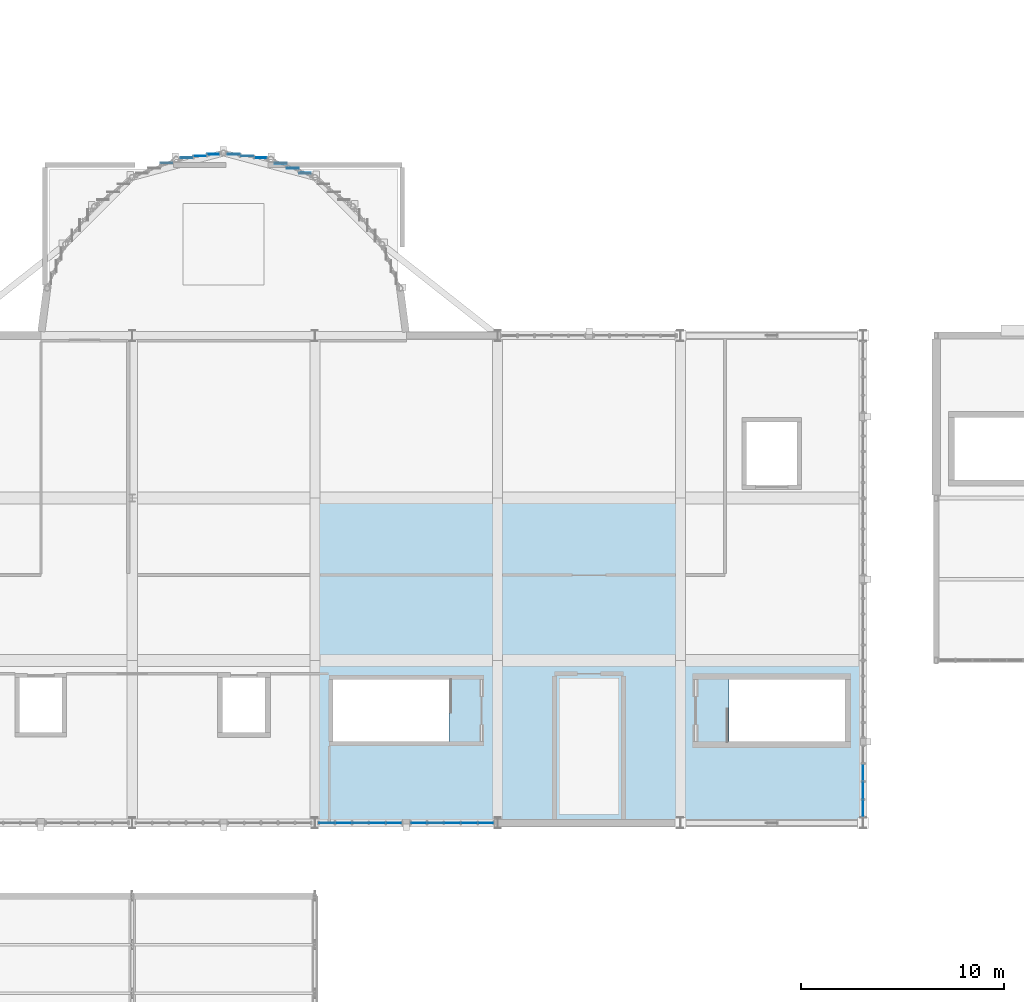
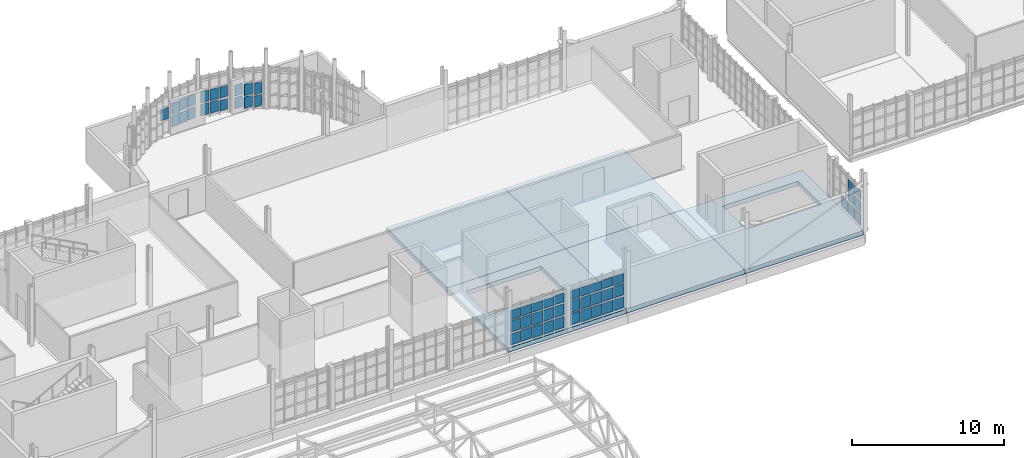
# One storey, part 89 of 128: 56 plates, 5 slabs, 7 elements without a shape of their own.
"""IFC4 building model written with IfcOpenShell, lengths in metres."""

import ifcopenshell
import ifcopenshell.guid

model = None  # the IFC model being written
_history = None  # IfcOwnerHistory: only IFC2X3 demands one
_inside = {}  # id of a spatial element -> (the spatial element, [elements in it])
_under = {}  # id of a project, library or spatial element -> (it, [spatial elements below it])
_declared = {}  # id of a project -> (the project, [libraries it declares])
_typed = {}  # id of a type object -> (the type object, [elements of that type])
_made_of = {}  # id of a material, layer set ... -> (it, [elements and type objects made of it])


def new_model(schema):
    """Start an empty IFC model of exactly this schema.

    Asked for "IFC4X3", IfcOpenShell would pick the latest addendum, in which some entities
    have other attributes; the version numbers below select the first issue.
    IFC2X3 requires an IfcOwnerHistory on every rooted entity: one is made here for all.
    """
    global model, _history
    if schema == "IFC4X3":
        model = ifcopenshell.file(schema_version=(4, 3, 0, 0))
    else:
        model = ifcopenshell.file(schema=schema)
    _inside.clear()
    _under.clear()
    _declared.clear()
    _typed.clear()
    _made_of.clear()
    _history = None
    if model.schema == "IFC2X3":
        org = make("IfcOrganization", Name="unknown")
        user = make(
            "IfcPersonAndOrganization",
            ThePerson=make("IfcPerson", FamilyName="unknown"),
            TheOrganization=org,
        )
        app = make(
            "IfcApplication",
            ApplicationDeveloper=org,
            Version="unknown",
            ApplicationFullName="unknown",
            ApplicationIdentifier="unknown",
        )
        _history = make(
            "IfcOwnerHistory",
            OwningUser=user,
            OwningApplication=app,
            ChangeAction="ADDED",
            CreationDate=0,
        )
    return model


def make(cls, **values):
    """One entity of the class cls with the attributes given. An attribute that is None is left unset."""
    return model.create_entity(
        cls, **{name: value for name, value in values.items() if value is not None}
    )


def rooted(cls, **values):
    """An entity with a GlobalId (a new one), such as an element, a storey or a relation."""
    return make(cls, GlobalId=ifcopenshell.guid.new(), OwnerHistory=_history, **values)


def si_unit(unit_type, name, prefix=None):
    """IfcSIUnit, for example si_unit("LENGTHUNIT", "METRE", prefix="MILLI")."""
    return make("IfcSIUnit", UnitType=unit_type, Prefix=prefix, Name=name)


def assignment(units):
    """IfcUnitAssignment: the units of a project."""
    return None if units is None else make("IfcUnitAssignment", Units=units)


def point(xyz):
    """IfcCartesianPoint."""
    return None if xyz is None else make("IfcCartesianPoint", Coordinates=xyz)


def direction(xyz):
    """IfcDirection."""
    return None if xyz is None else make("IfcDirection", DirectionRatios=xyz)


def frame(location, z_axis=None, x_axis=None):
    """IfcAxis2Placement3D, a coordinate frame: its origin and axes. An axis left out is left unset."""
    return make(
        "IfcAxis2Placement3D",
        Location=point(location),
        Axis=direction(z_axis),
        RefDirection=direction(x_axis),
    )


def frame_2d(location, x_axis=None):
    """IfcAxis2Placement2D, a coordinate frame in the plane: its origin and x axis."""
    return make(
        "IfcAxis2Placement2D", Location=point(location), RefDirection=direction(x_axis)
    )


def origin():
    """The frame at (0, 0, 0) with its axes left unset."""
    return frame((0.0, 0.0, 0.0))


def origin_2d():
    """The frame at (0, 0) in the plane with its x axis left unset."""
    return frame_2d((0.0, 0.0))


def place(relative_to, where):
    """IfcLocalPlacement: puts the frame where relative to a parent placement (None: the world)."""
    return make(
        "IfcLocalPlacement", PlacementRelTo=relative_to, RelativePlacement=where
    )


def context(
    kind, dimensions, precision=None, world=None, true_north=None, identifier=None
):
    """IfcGeometricRepresentationContext, for example the 3D "Model" context."""
    return make(
        "IfcGeometricRepresentationContext",
        ContextIdentifier=identifier,
        ContextType=kind,
        CoordinateSpaceDimension=dimensions,
        Precision=precision,
        WorldCoordinateSystem=world,
        TrueNorth=true_north,
    )


def subcontext(parent, identifier, kind, view, scale=None):
    """IfcGeometricRepresentationSubContext, for example "Body" below "Model"."""
    return make(
        "IfcGeometricRepresentationSubContext",
        ContextIdentifier=identifier,
        ContextType=kind,
        ParentContext=parent,
        TargetScale=scale,
        TargetView=view,
    )


def project(units=None, contexts=None):
    """IfcProject with its units and contexts."""
    return rooted(
        "IfcProject",
        Name="project",
        RepresentationContexts=contexts,
        UnitsInContext=assignment(units),
    )


def spatial(cls, under=None, at=None, **own):
    """A site, building, storey or space (cls), placed at a placement, below another one or the project."""
    s = rooted(cls, ObjectPlacement=at, **own)
    if under is not None:
        _under.setdefault(under.id(), (under, []))[1].append(s)
    return s


def polyline(points):
    """IfcPolyline through the points."""
    return make("IfcPolyline", Points=[point(p) for p in points])


def profile(cls, at=None, kind="AREA", **sizes):
    """A parametric profile (cls). Its sizes go by their IFC names, for example OverallWidth=200.0."""
    return make(cls, ProfileType=kind, Position=at, **sizes)


def rectangle(**sizes):
    """IfcRectangleProfileDef."""
    return profile("IfcRectangleProfileDef", **sizes)


def outline(outer, holes=None, kind="AREA"):
    """IfcArbitraryClosedProfileDef: a profile drawn as a closed curve; with holes, ...WithVoids."""
    if holes is None:
        return make("IfcArbitraryClosedProfileDef", ProfileType=kind, OuterCurve=outer)
    return make(
        "IfcArbitraryProfileDefWithVoids",
        ProfileType=kind,
        OuterCurve=outer,
        InnerCurves=holes,
    )


def extrude(swept, where, along, depth):
    """IfcExtrudedAreaSolid: the profile swept, set in the frame where, extruded along a direction by depth."""
    return make(
        "IfcExtrudedAreaSolid",
        SweptArea=swept,
        Position=where,
        ExtrudedDirection=direction(along),
        Depth=depth,
    )


def shape(context_of_items, identifier, shape_type, items):
    """IfcShapeRepresentation: the items that make up one representation, for example the "Body"."""
    return make(
        "IfcShapeRepresentation",
        ContextOfItems=context_of_items,
        RepresentationIdentifier=identifier,
        RepresentationType=shape_type,
        Items=items,
    )


def material(Name=None, Category=None):
    """IfcMaterial."""
    return make("IfcMaterial", Name=Name, Category=Category)


def layer(
    of_material, thickness, ventilated=None, Name=None, Category=None, Priority=None
):
    """IfcMaterialLayer: one layer of a wall or slab, of a material (None: an air gap)."""
    return make(
        "IfcMaterialLayer",
        Material=of_material,
        LayerThickness=thickness,
        IsVentilated=ventilated,
        Name=Name,
        Category=Category,
        Priority=Priority,
    )


def layer_set(layers, Name=None):
    """IfcMaterialLayerSet."""
    return make("IfcMaterialLayerSet", MaterialLayers=layers, LayerSetName=Name)


def made_of(thing, what):
    """Note that an element or type object is made of a material, layer set ...; save() writes the relation."""
    if what is not None:
        _made_of.setdefault(what.id(), (what, []))[1].append(thing)
    return thing


def type_object(cls, material=None, **own):
    """A type object (cls), such as IfcWallType, which elements share."""
    return made_of(rooted(cls, **own), material)


def element(
    cls,
    number,
    at=None,
    inside=None,
    cuts=None,
    type_object=None,
    material=None,
    context=None,
    identifier="Body",
    shape_type=None,
    held_by="IfcProductDefinitionShape",
    body=None,
    shapes=None,
    **own,
):
    """One element of the class cls, such as IfcWall. Its Tag is "e" and its number.

    at: its placement. inside: the storey or other place that contains it. cuts: it is an
    opening in that element (IfcRelVoidsElement). A single representation is given by context,
    identifier, shape_type and body (its items); several are given by shapes. held_by: the class
    of the entity that holds the representations. save() writes the other relations.
    """
    e = rooted(cls, Tag="e%d" % number, ObjectPlacement=at, **own)
    if body is not None:
        shapes = [shape(context, identifier, shape_type, body)]
    if shapes is not None:
        e.Representation = make(held_by, Representations=shapes)
    if inside is not None:
        _inside.setdefault(inside.id(), (inside, []))[1].append(e)
    if cuts is not None:
        rooted(
            "IfcRelVoidsElement", RelatingBuildingElement=cuts, RelatedOpeningElement=e
        )
    if type_object is not None:
        _typed.setdefault(type_object.id(), (type_object, []))[1].append(e)
    return made_of(e, material)


def aggregate(whole, parts):
    """IfcRelAggregates: a whole, such as a stair, and the parts it consists of."""
    return rooted("IfcRelAggregates", RelatingObject=whole, RelatedObjects=parts)


def save(model, path):
    """Write the relations noted so far, then the file.

    IfcRelAggregates (storeys below a building ...), IfcRelContainedInSpatialStructure (elements
    in a storey), IfcRelDefinesByType, IfcRelAssociatesMaterial and IfcRelDeclares: one each for
    every whole, place, type object, material and project.
    """
    for whole, parts in _under.values():
        aggregate(whole, parts)
    for where, things in _inside.values():
        rooted(
            "IfcRelContainedInSpatialStructure",
            RelatedElements=things,
            RelatingStructure=where,
        )
    for kind, things in _typed.values():
        rooted("IfcRelDefinesByType", RelatedObjects=things, RelatingType=kind)
    for what, things in _made_of.values():
        rooted("IfcRelAssociatesMaterial", RelatedObjects=things, RelatingMaterial=what)
    for by, libraries in _declared.values():
        rooted("IfcRelDeclares", RelatingContext=by, RelatedDefinitions=libraries)
    model.write(path)


model = new_model("IFC4")

# Units and contexts
model_context = context("Model", 3, precision=1e-05, world=origin(), true_north=direction((0.0, 1.0)))
body_context = subcontext(model_context, "Body", "Model", "MODEL_VIEW")
ifc_project = project(units=[si_unit("LENGTHUNIT", "METRE"), si_unit("AREAUNIT", "SQUARE_METRE"), si_unit("VOLUMEUNIT", "CUBIC_METRE"), si_unit("PLANEANGLEUNIT", "RADIAN"), si_unit("MASSUNIT", "GRAM", prefix="KILO")], contexts=[model_context])

# Site, building, storey
site_placement = place(None, origin())
site = spatial("IfcSite", under=ifc_project, at=site_placement, CompositionType="ELEMENT")
building_placement = place(site_placement, origin())
building = spatial("IfcBuilding", under=site, at=building_placement, Name="Serraforn Aerial Cableway Station", CompositionType="ELEMENT")
storey_placement = place(building_placement, frame((0.0, 0.0, 9.0)))
storey = spatial("IfcBuildingStorey", under=building, at=storey_placement, Name="L02", CompositionType="ELEMENT", Elevation=9.0)

# Curtain wall, plates
ifc_material_1 = material(Name="Anodised bronze unitised curtain wall")
curtain_wall_type_1 = type_object("IfcCurtainWallType", Name="CW-SYS-23", PredefinedType="USERDEFINED", material=ifc_material_1)
curtain_wall_1_placement = place(storey_placement, origin())
curtain_wall_1 = element("IfcCurtainWall", 1, at=curtain_wall_1_placement, inside=storey, type_object=curtain_wall_type_1, Name="Unitised Curtain Wall CW-CV-L02-S5A", ObjectType="UNITISED CURTAIN WALL", PredefinedType="USERDEFINED")
ifc_material_2 = material(Name="Solar-control low-E double glazing", Category="glass")
ifc_layer_1 = layer(ifc_material_2, 0.02587890625)
ifc_layer_set_1 = layer_set([ifc_layer_1], Name="Solar-control low-E double glazing")
plate_type_1 = type_object("IfcPlateType", Name="CW-GLZ-1", PredefinedType="CURTAIN_PANEL", material=ifc_layer_set_1)
plate_1_placement = place(storey_placement, frame((66.667236328125, 18.0, 2.26171875), z_axis=(0.0, 0.0, 1.0), x_axis=(1.0, 0.0, 0.0)))
plate_1 = element("IfcPlate", 2, at=plate_1_placement, type_object=plate_type_1, Name="Curtain Wall Panel CW-CV-L02-S5A-P4-3", PredefinedType="CURTAIN_PANEL", context=body_context, shape_type="SweptSolid", body=[
    extrude(rectangle(XDim=0.781005859375, YDim=0.02587890625, at=origin_2d()), origin(), (0.0, 0.0, 1.0), 0.667236328125),
])
plate_2_placement = place(storey_placement, frame((67.4853515625, 18.0, 1.23583984375), z_axis=(0.0, 0.0, 1.0), x_axis=(1.0, 0.0, 0.0)))
plate_2 = element("IfcPlate", 3, at=plate_2_placement, type_object=plate_type_1, Name="Curtain Wall Panel CW-CV-L02-S5A-P5-2", PredefinedType="CURTAIN_PANEL", context=body_context, shape_type="SweptSolid", body=[
    extrude(rectangle(XDim=0.743408203125, YDim=0.02587890625, at=origin_2d()), origin(), (0.0, 0.0, 1.0), 0.87255859375),
])

curtain_wall_type_2 = type_object("IfcCurtainWallType", Name="CW-SYS-24", PredefinedType="USERDEFINED", material=ifc_material_1)
curtain_wall_2_placement = place(storey_placement, origin())
curtain_wall_2 = element("IfcCurtainWall", 4, at=curtain_wall_2_placement, inside=storey, type_object=curtain_wall_type_2, Name="Unitised Curtain Wall CW-CV-L02-S5B", ObjectType="UNITISED CURTAIN WALL", PredefinedType="USERDEFINED")
plate_3_placement = place(storey_placement, frame((70.36474609375, 18.0, 2.26171875), z_axis=(0.0, 0.0, 1.0), x_axis=(1.0, 0.0, 0.0)))
plate_3 = element("IfcPlate", 5, at=plate_3_placement, type_object=plate_type_1, Name="Curtain Wall Panel CW-CV-L02-S5B-P3-3", PredefinedType="CURTAIN_PANEL", context=body_context, shape_type="SweptSolid", body=[
    extrude(rectangle(XDim=0.781005859375, YDim=0.02587890625, at=origin_2d()), origin(), (0.0, 0.0, 1.0), 0.667236328125),
])
plate_4_placement = place(storey_placement, frame((71.19921875, 18.0, 1.23583984375), z_axis=(0.0, 0.0, 1.0), x_axis=(1.0, 0.0, 0.0)))
plate_4 = element("IfcPlate", 6, at=plate_4_placement, type_object=plate_type_1, Name="Curtain Wall Panel CW-CV-L02-S5B-P4-2", PredefinedType="CURTAIN_PANEL", context=body_context, shape_type="SweptSolid", body=[
    extrude(rectangle(XDim=0.77587890625, YDim=0.02587890625, at=origin_2d()), origin(), (0.0, 0.0, 1.0), 0.87255859375),
])
plate_5_placement = place(storey_placement, frame((72.01611328125, 18.0, 0.209716796875), z_axis=(0.0, 0.0, 1.0), x_axis=(1.0, 0.0, 0.0)))
plate_5 = element("IfcPlate", 7, at=plate_5_placement, type_object=plate_type_1, Name="Curtain Wall Panel CW-CV-L02-S5B-P5-1", PredefinedType="CURTAIN_PANEL", context=body_context, shape_type="SweptSolid", body=[
    extrude(rectangle(XDim=0.73583984375, YDim=0.02587890625, at=origin_2d()), origin(), (0.0, 0.0, 1.0), 0.87255859375),
])

curtain_wall_type_3 = type_object("IfcCurtainWallType", Name="CW-SYS-27", PredefinedType="USERDEFINED", material=ifc_material_1)
curtain_wall_3_placement = place(storey_placement, origin())
curtain_wall_3 = element("IfcCurtainWall", 8, at=curtain_wall_3_placement, inside=storey, type_object=curtain_wall_type_3, Name="Unitised Curtain Wall CW-CV-L02-E1A", ObjectType="UNITISED CURTAIN WALL", PredefinedType="USERDEFINED")
plate_6_placement = place(storey_placement, frame((90.60009765625, 18.72998046875, 1.23583984375), z_axis=(0.0, 0.0, 1.0), x_axis=(1.0, 0.0, 0.0)))
plate_6 = element("IfcPlate", 9, at=plate_6_placement, type_object=plate_type_1, Name="Curtain Wall Panel CW-CV-L02-E1A-P1-2", PredefinedType="CURTAIN_PANEL", context=body_context, shape_type="SweptSolid", body=[
    extrude(rectangle(XDim=0.02587890625, YDim=0.79833984375, at=origin_2d()), origin(), (0.0, 0.0, 1.0), 0.87255859375),
])
plate_7_placement = place(storey_placement, frame((90.60009765625, 19.601806640625, 0.209716796875), z_axis=(0.0, 0.0, 1.0), x_axis=(1.0, 0.0, 0.0)))
plate_7 = element("IfcPlate", 10, at=plate_7_placement, type_object=plate_type_1, Name="Curtain Wall Panel CW-CV-L02-E1A-P2-1", PredefinedType="CURTAIN_PANEL", context=body_context, shape_type="SweptSolid", body=[
    extrude(rectangle(XDim=0.02587890625, YDim=0.8232421875, at=origin_2d()), origin(), (0.0, 0.0, 1.0), 0.87255859375),
])

# Plate
ifc_layer_2 = layer(ifc_material_2, 0.028076171875)
ifc_layer_set_2 = layer_set([ifc_layer_2], Name="Solar-control low-E double glazing")
plate_type_2 = type_object("IfcPlateType", Name="CW-GLZ-2", PredefinedType="CURTAIN_PANEL", material=ifc_layer_set_2)
plate_8_placement = place(storey_placement, frame((67.4853515625, 18.0, 2.26953125), z_axis=(0.0, 0.0, 1.0), x_axis=(1.0, 0.0, 0.0)))
plate_8 = element("IfcPlate", 11, at=plate_8_placement, type_object=plate_type_2, Name="Curtain Wall Panel CW-CV-L02-S5A-P5-3", PredefinedType="CURTAIN_PANEL", context=body_context, shape_type="SweptSolid", body=[
    extrude(rectangle(XDim=0.743408203125, YDim=0.028076171875, at=origin_2d()), origin(), (0.0, 0.0, 1.0), 0.687255859375),
])

plate_9_placement = place(storey_placement, frame((71.19921875, 18.0, 2.26953125), z_axis=(0.0, 0.0, 1.0), x_axis=(1.0, 0.0, 0.0)))
plate_9 = element("IfcPlate", 12, at=plate_9_placement, type_object=plate_type_2, Name="Curtain Wall Panel CW-CV-L02-S5B-P4-3", PredefinedType="CURTAIN_PANEL", context=body_context, shape_type="SweptSolid", body=[
    extrude(rectangle(XDim=0.77587890625, YDim=0.028076171875, at=origin_2d()), origin(), (0.0, 0.0, 1.0), 0.687255859375),
])

plate_10_placement = place(storey_placement, frame((72.01611328125, 18.0, 1.243408203125), z_axis=(0.0, 0.0, 1.0), x_axis=(1.0, 0.0, 0.0)))
plate_10 = element("IfcPlate", 13, at=plate_10_placement, type_object=plate_type_2, Name="Curtain Wall Panel CW-CV-L02-S5B-P5-2", PredefinedType="CURTAIN_PANEL", context=body_context, shape_type="SweptSolid", body=[
    extrude(rectangle(XDim=0.73583984375, YDim=0.028076171875, at=origin_2d()), origin(), (0.0, 0.0, 1.0), 0.892578125),
])

plate_11_placement = place(storey_placement, frame((90.60009765625, 18.72998046875, 2.26953125), z_axis=(0.0, 0.0, 1.0), x_axis=(1.0, 0.0, 0.0)))
plate_11 = element("IfcPlate", 14, at=plate_11_placement, type_object=plate_type_2, Name="Curtain Wall Panel CW-CV-L02-E1A-P1-3", PredefinedType="CURTAIN_PANEL", context=body_context, shape_type="SweptSolid", body=[
    extrude(rectangle(XDim=0.028076171875, YDim=0.79833984375, at=origin_2d()), origin(), (0.0, 0.0, 1.0), 0.687255859375),
])

plate_12_placement = place(storey_placement, frame((90.60009765625, 19.601806640625, 1.243408203125), z_axis=(0.0, 0.0, 1.0), x_axis=(1.0, 0.0, 0.0)))
plate_12 = element("IfcPlate", 15, at=plate_12_placement, type_object=plate_type_2, Name="Curtain Wall Panel CW-CV-L02-E1A-P2-2", PredefinedType="CURTAIN_PANEL", context=body_context, shape_type="SweptSolid", body=[
    extrude(rectangle(XDim=0.028076171875, YDim=0.8232421875, at=origin_2d()), origin(), (0.0, 0.0, 1.0), 0.892578125),
])

plate_13_placement = place(storey_placement, frame((90.60009765625, 20.488525390625, 0.21728515625), z_axis=(0.0, 0.0, 1.0), x_axis=(1.0, 0.0, 0.0)))
plate_13 = element("IfcPlate", 16, at=plate_13_placement, type_object=plate_type_2, Name="Curtain Wall Panel CW-CV-L02-E1A-P3-1", PredefinedType="CURTAIN_PANEL", context=body_context, shape_type="SweptSolid", body=[
    extrude(rectangle(XDim=0.028076171875, YDim=0.818115234375, at=origin_2d()), origin(), (0.0, 0.0, 1.0), 0.892578125),
])

# Curtain wall, plate
curtain_wall_type_4 = type_object("IfcCurtainWallType", Name="CW-SYS-8", PredefinedType="USERDEFINED", material=ifc_material_1)
curtain_wall_4_placement = place(storey_placement, origin())
curtain_wall_4 = element("IfcCurtainWall", 17, at=curtain_wall_4_placement, inside=storey, type_object=curtain_wall_type_4, Name="Unitised Curtain Wall CW-AP-L02-R5", ObjectType="UNITISED CURTAIN WALL", PredefinedType="USERDEFINED")
plate_14_placement = place(storey_placement, frame((56.288818359375, 50.49365234375, 1.228515625), z_axis=(0.0, 0.0, 1.0), x_axis=(1.0, 0.0, 0.0)))
plate_14 = element("IfcPlate", 18, at=plate_14_placement, type_object=plate_type_2, Name="Curtain Wall Panel CW-AP-L02-R5-P1-2", PredefinedType="CURTAIN_PANEL", context=body_context, shape_type="SweptSolid", body=[
    extrude(rectangle(XDim=0.584716796875, YDim=0.028076171875, at=origin_2d()), origin(), (0.0, 0.0, 1.0), 0.887451171875),
])
aggregate(curtain_wall_4, [plate_14])

curtain_wall_type_5 = type_object("IfcCurtainWallType", Name="CW-SYS-9", PredefinedType="USERDEFINED", material=ifc_material_1)
curtain_wall_5_placement = place(storey_placement, origin())
curtain_wall_5 = element("IfcCurtainWall", 19, at=curtain_wall_5_placement, inside=storey, type_object=curtain_wall_type_5, Name="Unitised Curtain Wall CW-AP-L02-R6", ObjectType="UNITISED CURTAIN WALL", PredefinedType="USERDEFINED")
plate_15_placement = place(storey_placement, frame((58.59814453125, 50.93408203125, 0.2021484375), z_axis=(0.0, 0.0, 1.0), x_axis=(1.0, 0.0, 0.0)))
plate_15 = element("IfcPlate", 20, at=plate_15_placement, type_object=plate_type_2, Name="Curtain Wall Panel CW-AP-L02-R6-P1-1", PredefinedType="CURTAIN_PANEL", context=body_context, shape_type="SweptSolid", body=[
    extrude(rectangle(XDim=0.593994140625, YDim=0.028076171875, at=origin_2d()), origin(), (0.0, 0.0, 1.0), 0.887451171875),
])

# Plate
ifc_layer_3 = layer(ifc_material_2, 0.030029296875)
ifc_layer_set_3 = layer_set([ifc_layer_3], Name="Solar-control low-E double glazing")
plate_type_3 = type_object("IfcPlateType", Name="CW-GLZ-3", PredefinedType="CURTAIN_PANEL", material=ifc_layer_set_3)
plate_16_placement = place(storey_placement, frame((72.01611328125, 18.0, 2.24169921875), z_axis=(0.0, 0.0, 1.0), x_axis=(1.0, 0.0, 0.0)))
plate_16 = element("IfcPlate", 21, at=plate_16_placement, type_object=plate_type_3, Name="Curtain Wall Panel CW-CV-L02-S5B-P5-3", PredefinedType="CURTAIN_PANEL", context=body_context, shape_type="SweptSolid", body=[
    extrude(rectangle(XDim=0.73583984375, YDim=0.030029296875, at=origin_2d()), origin(), (0.0, 0.0, 1.0), 0.709716796875),
])

plate_17_placement = place(storey_placement, frame((90.60009765625, 19.601806640625, 2.24169921875), z_axis=(0.0, 0.0, 1.0), x_axis=(1.0, 0.0, 0.0)))
plate_17 = element("IfcPlate", 22, at=plate_17_placement, type_object=plate_type_3, Name="Curtain Wall Panel CW-CV-L02-E1A-P2-3", PredefinedType="CURTAIN_PANEL", context=body_context, shape_type="SweptSolid", body=[
    extrude(rectangle(XDim=0.030029296875, YDim=0.8232421875, at=origin_2d()), origin(), (0.0, 0.0, 1.0), 0.709716796875),
])

plate_18_placement = place(storey_placement, frame((58.59814453125, 50.93408203125, 1.23583984375), z_axis=(0.0, 0.0, 1.0), x_axis=(1.0, 0.0, 0.0)))
plate_18 = element("IfcPlate", 23, at=plate_18_placement, type_object=plate_type_3, Name="Curtain Wall Panel CW-AP-L02-R6-P1-2", PredefinedType="CURTAIN_PANEL", context=body_context, shape_type="SweptSolid", body=[
    extrude(rectangle(XDim=0.593994140625, YDim=0.030029296875, at=origin_2d()), origin(), (0.0, 0.0, 1.0), 0.87255859375),
])

plate_19_placement = place(storey_placement, frame((57.9365234375, 50.8466796875, 0.209716796875), z_axis=(0.0, 0.0, 1.0), x_axis=(1.0, 0.0, 0.0)))
plate_19 = element("IfcPlate", 24, at=plate_19_placement, type_object=plate_type_3, Name="Curtain Wall Panel CW-AP-L02-R6-P2-1", PredefinedType="CURTAIN_PANEL", context=body_context, shape_type="SweptSolid", body=[
    extrude(rectangle(XDim=0.618896484375, YDim=0.030029296875, at=origin_2d()), origin(), (0.0, 0.0, 1.0), 0.87255859375),
])

# Curtain wall, plate
curtain_wall_type_6 = type_object("IfcCurtainWallType", Name="CW-SYS-10", PredefinedType="USERDEFINED", material=ifc_material_1)
curtain_wall_6_placement = place(storey_placement, origin())
curtain_wall_6 = element("IfcCurtainWall", 25, at=curtain_wall_6_placement, inside=storey, type_object=curtain_wall_type_6, Name="Unitised Curtain Wall CW-AP-L02-R7", ObjectType="UNITISED CURTAIN WALL", PredefinedType="USERDEFINED")
plate_20_placement = place(storey_placement, frame((60.926513671875, 50.759521484375, 0.209716796875), z_axis=(0.0, 0.0, 1.0), x_axis=(1.0, 0.0, 0.0)))
plate_20 = element("IfcPlate", 26, at=plate_20_placement, type_object=plate_type_3, Name="Curtain Wall Panel CW-AP-L02-R7-P1-1", PredefinedType="CURTAIN_PANEL", context=body_context, shape_type="SweptSolid", body=[
    extrude(rectangle(XDim=0.58642578125, YDim=0.030029296875, at=origin_2d()), origin(), (0.0, 0.0, 1.0), 0.87255859375),
])

# Plate
ifc_layer_4 = layer(ifc_material_2, 0.031982421875)
ifc_layer_set_4 = layer_set([ifc_layer_4], Name="Solar-control low-E double glazing")
plate_type_4 = type_object("IfcPlateType", Name="CW-GLZ-4", PredefinedType="CURTAIN_PANEL", material=ifc_layer_set_4)
plate_21_placement = place(storey_placement, frame((64.18017578125, 18.0, 0.209716796875), z_axis=(0.0, 0.0, 1.0), x_axis=(1.0, 0.0, 0.0)))
plate_21 = element("IfcPlate", 27, at=plate_21_placement, type_object=plate_type_4, Name="Curtain Wall Panel CW-CV-L02-S5A-P1-1", PredefinedType="CURTAIN_PANEL", context=body_context, shape_type="SweptSolid", body=[
    extrude(rectangle(XDim=0.73828125, YDim=0.031982421875, at=origin_2d()), origin(), (0.0, 0.0, 1.0), 0.87255859375),
])

plate_22_placement = place(storey_placement, frame((57.9365234375, 50.8466796875, 1.243408203125), z_axis=(0.0, 0.0, 1.0), x_axis=(1.0, 0.0, 0.0)))
plate_22 = element("IfcPlate", 28, at=plate_22_placement, type_object=plate_type_4, Name="Curtain Wall Panel CW-AP-L02-R6-P2-2", PredefinedType="CURTAIN_PANEL", context=body_context, shape_type="SweptSolid", body=[
    extrude(rectangle(XDim=0.618896484375, YDim=0.031982421875, at=origin_2d()), origin(), (0.0, 0.0, 1.0), 0.892578125),
])

plate_23_placement = place(storey_placement, frame((57.278564453125, 50.76025390625, 0.21728515625), z_axis=(0.0, 0.0, 1.0), x_axis=(1.0, 0.0, 0.0)))
plate_23 = element("IfcPlate", 29, at=plate_23_placement, type_object=plate_type_4, Name="Curtain Wall Panel CW-AP-L02-R6-P3-1", PredefinedType="CURTAIN_PANEL", context=body_context, shape_type="SweptSolid", body=[
    extrude(rectangle(XDim=0.576416015625, YDim=0.031982421875, at=origin_2d()), origin(), (0.0, 0.0, 1.0), 0.892578125),
])

plate_24_placement = place(storey_placement, frame((60.926513671875, 50.759521484375, 1.243408203125), z_axis=(0.0, 0.0, 1.0), x_axis=(1.0, 0.0, 0.0)))
plate_24 = element("IfcPlate", 30, at=plate_24_placement, type_object=plate_type_4, Name="Curtain Wall Panel CW-AP-L02-R7-P1-2", PredefinedType="CURTAIN_PANEL", context=body_context, shape_type="SweptSolid", body=[
    extrude(rectangle(XDim=0.58642578125, YDim=0.031982421875, at=origin_2d()), origin(), (0.0, 0.0, 1.0), 0.892578125),
])

plate_25_placement = place(storey_placement, frame((60.265869140625, 50.846435546875, 0.21728515625), z_axis=(0.0, 0.0, 1.0), x_axis=(1.0, 0.0, 0.0)))
plate_25 = element("IfcPlate", 31, at=plate_25_placement, type_object=plate_type_4, Name="Curtain Wall Panel CW-AP-L02-R7-P2-1", PredefinedType="CURTAIN_PANEL", context=body_context, shape_type="SweptSolid", body=[
    extrude(rectangle(XDim=0.614013671875, YDim=0.031982421875, at=origin_2d()), origin(), (0.0, 0.0, 1.0), 0.892578125),
])

# Curtain wall, plate
curtain_wall_type_7 = type_object("IfcCurtainWallType", Name="CW-SYS-11", PredefinedType="USERDEFINED", material=ifc_material_1)
curtain_wall_7_placement = place(storey_placement, origin())
curtain_wall_7 = element("IfcCurtainWall", 32, at=curtain_wall_7_placement, inside=storey, type_object=curtain_wall_type_7, Name="Unitised Curtain Wall CW-AP-L02-R8", ObjectType="UNITISED CURTAIN WALL", PredefinedType="USERDEFINED")
plate_26_placement = place(storey_placement, frame((63.114501953125, 49.995361328125, 0.21728515625), z_axis=(0.0, 0.0, 1.0), x_axis=(1.0, 0.0, 0.0)))
plate_26 = element("IfcPlate", 33, at=plate_26_placement, type_object=plate_type_4, Name="Curtain Wall Panel CW-AP-L02-R8-P1-1", PredefinedType="CURTAIN_PANEL", context=body_context, shape_type="SweptSolid", body=[
    extrude(rectangle(XDim=0.56201171875, YDim=0.031982421875, at=origin_2d()), origin(), (0.0, 0.0, 1.0), 0.892578125),
])

# Plate
ifc_layer_5 = layer(ifc_material_2, 0.033935546875)
ifc_layer_set_5 = layer_set([ifc_layer_5], Name="Solar-control low-E double glazing")
plate_type_5 = type_object("IfcPlateType", Name="CW-GLZ-5", PredefinedType="CURTAIN_PANEL", material=ifc_layer_set_5)
plate_27_placement = place(storey_placement, frame((64.18017578125, 18.0, 1.243408203125), z_axis=(0.0, 0.0, 1.0), x_axis=(1.0, 0.0, 0.0)))
plate_27 = element("IfcPlate", 34, at=plate_27_placement, type_object=plate_type_5, Name="Curtain Wall Panel CW-CV-L02-S5A-P1-2", PredefinedType="CURTAIN_PANEL", context=body_context, shape_type="SweptSolid", body=[
    extrude(rectangle(XDim=0.73828125, YDim=0.033935546875, at=origin_2d()), origin(), (0.0, 0.0, 1.0), 0.892578125),
])

plate_28_placement = place(storey_placement, frame((64.998291015625, 18.0, 0.21728515625), z_axis=(0.0, 0.0, 1.0), x_axis=(1.0, 0.0, 0.0)))
plate_28 = element("IfcPlate", 35, at=plate_28_placement, type_object=plate_type_5, Name="Curtain Wall Panel CW-CV-L02-S5A-P2-1", PredefinedType="CURTAIN_PANEL", context=body_context, shape_type="SweptSolid", body=[
    extrude(rectangle(XDim=0.765869140625, YDim=0.033935546875, at=origin_2d()), origin(), (0.0, 0.0, 1.0), 0.892578125),
])

plate_29_placement = place(storey_placement, frame((68.71337890625, 18.0, 0.21728515625), z_axis=(0.0, 0.0, 1.0), x_axis=(1.0, 0.0, 0.0)))
plate_29 = element("IfcPlate", 36, at=plate_29_placement, type_object=plate_type_5, Name="Curtain Wall Panel CW-CV-L02-S5B-P1-1", PredefinedType="CURTAIN_PANEL", context=body_context, shape_type="SweptSolid", body=[
    extrude(rectangle(XDim=0.73095703125, YDim=0.033935546875, at=origin_2d()), origin(), (0.0, 0.0, 1.0), 0.892578125),
])

plate_30_placement = place(storey_placement, frame((57.278564453125, 50.76025390625, 1.2158203125), z_axis=(0.0, 0.0, 1.0), x_axis=(1.0, 0.0, 0.0)))
plate_30 = element("IfcPlate", 37, at=plate_30_placement, type_object=plate_type_5, Name="Curtain Wall Panel CW-AP-L02-R6-P3-2", PredefinedType="CURTAIN_PANEL", context=body_context, shape_type="SweptSolid", body=[
    extrude(rectangle(XDim=0.576416015625, YDim=0.033935546875, at=origin_2d()), origin(), (0.0, 0.0, 1.0), 0.9150390625),
])

aggregate(curtain_wall_5, [plate_15, plate_18, plate_19, plate_22, plate_23, plate_30])

plate_31_placement = place(storey_placement, frame((60.265869140625, 50.846435546875, 1.2158203125), z_axis=(0.0, 0.0, 1.0), x_axis=(1.0, 0.0, 0.0)))
plate_31 = element("IfcPlate", 38, at=plate_31_placement, type_object=plate_type_5, Name="Curtain Wall Panel CW-AP-L02-R7-P2-2", PredefinedType="CURTAIN_PANEL", context=body_context, shape_type="SweptSolid", body=[
    extrude(rectangle(XDim=0.614013671875, YDim=0.033935546875, at=origin_2d()), origin(), (0.0, 0.0, 1.0), 0.9150390625),
])

plate_32_placement = place(storey_placement, frame((59.5966796875, 50.9345703125, 0.189697265625), z_axis=(0.0, 0.0, 1.0), x_axis=(1.0, 0.0, 0.0)))
plate_32 = element("IfcPlate", 39, at=plate_32_placement, type_object=plate_type_5, Name="Curtain Wall Panel CW-AP-L02-R7-P3-1", PredefinedType="CURTAIN_PANEL", context=body_context, shape_type="SweptSolid", body=[
    extrude(rectangle(XDim=0.593994140625, YDim=0.033935546875, at=origin_2d()), origin(), (0.0, 0.0, 1.0), 0.9150390625),
])

plate_33_placement = place(storey_placement, frame((63.114501953125, 49.995361328125, 1.2158203125), z_axis=(0.0, 0.0, 1.0), x_axis=(1.0, 0.0, 0.0)))
plate_33 = element("IfcPlate", 40, at=plate_33_placement, type_object=plate_type_5, Name="Curtain Wall Panel CW-AP-L02-R8-P1-2", PredefinedType="CURTAIN_PANEL", context=body_context, shape_type="SweptSolid", body=[
    extrude(rectangle(XDim=0.56201171875, YDim=0.033935546875, at=origin_2d()), origin(), (0.0, 0.0, 1.0), 0.9150390625),
])

plate_34_placement = place(storey_placement, frame((62.510009765625, 50.24560546875, 0.189697265625), z_axis=(0.0, 0.0, 1.0), x_axis=(1.0, 0.0, 0.0)))
plate_34 = element("IfcPlate", 41, at=plate_34_placement, type_object=plate_type_5, Name="Curtain Wall Panel CW-AP-L02-R8-P2-1", PredefinedType="CURTAIN_PANEL", context=body_context, shape_type="SweptSolid", body=[
    extrude(rectangle(XDim=0.6044921875, YDim=0.033935546875, at=origin_2d()), origin(), (0.0, 0.0, 1.0), 0.9150390625),
])

ifc_layer_6 = layer(ifc_material_2, 0.035888671875)
ifc_layer_set_6 = layer_set([ifc_layer_6], Name="Solar-control low-E double glazing")
plate_type_6 = type_object("IfcPlateType", Name="CW-GLZ-6", PredefinedType="CURTAIN_PANEL", material=ifc_layer_set_6)
plate_35_placement = place(storey_placement, frame((64.18017578125, 18.0, 2.24169921875), z_axis=(0.0, 0.0, 1.0), x_axis=(1.0, 0.0, 0.0)))
plate_35 = element("IfcPlate", 42, at=plate_35_placement, type_object=plate_type_6, Name="Curtain Wall Panel CW-CV-L02-S5A-P1-3", PredefinedType="CURTAIN_PANEL", context=body_context, shape_type="SweptSolid", body=[
    extrude(rectangle(XDim=0.73828125, YDim=0.035888671875, at=origin_2d()), origin(), (0.0, 0.0, 1.0), 0.709716796875),
])

plate_36_placement = place(storey_placement, frame((64.998291015625, 18.0, 1.2158203125), z_axis=(0.0, 0.0, 1.0), x_axis=(1.0, 0.0, 0.0)))
plate_36 = element("IfcPlate", 43, at=plate_36_placement, type_object=plate_type_6, Name="Curtain Wall Panel CW-CV-L02-S5A-P2-2", PredefinedType="CURTAIN_PANEL", context=body_context, shape_type="SweptSolid", body=[
    extrude(rectangle(XDim=0.765869140625, YDim=0.035888671875, at=origin_2d()), origin(), (0.0, 0.0, 1.0), 0.9150390625),
])

plate_37_placement = place(storey_placement, frame((65.839111328125, 18.0, 0.189697265625), z_axis=(0.0, 0.0, 1.0), x_axis=(1.0, 0.0, 0.0)))
plate_37 = element("IfcPlate", 44, at=plate_37_placement, type_object=plate_type_6, Name="Curtain Wall Panel CW-CV-L02-S5A-P3-1", PredefinedType="CURTAIN_PANEL", context=body_context, shape_type="SweptSolid", body=[
    extrude(rectangle(XDim=0.7734375, YDim=0.035888671875, at=origin_2d()), origin(), (0.0, 0.0, 1.0), 0.9150390625),
])

plate_38_placement = place(storey_placement, frame((68.71337890625, 18.0, 1.2158203125), z_axis=(0.0, 0.0, 1.0), x_axis=(1.0, 0.0, 0.0)))
plate_38 = element("IfcPlate", 45, at=plate_38_placement, type_object=plate_type_6, Name="Curtain Wall Panel CW-CV-L02-S5B-P1-2", PredefinedType="CURTAIN_PANEL", context=body_context, shape_type="SweptSolid", body=[
    extrude(rectangle(XDim=0.73095703125, YDim=0.035888671875, at=origin_2d()), origin(), (0.0, 0.0, 1.0), 0.9150390625),
])

plate_39_placement = place(storey_placement, frame((69.53662109375, 18.0, 0.189697265625), z_axis=(0.0, 0.0, 1.0), x_axis=(1.0, 0.0, 0.0)))
plate_39 = element("IfcPlate", 46, at=plate_39_placement, type_object=plate_type_6, Name="Curtain Wall Panel CW-CV-L02-S5B-P2-1", PredefinedType="CURTAIN_PANEL", context=body_context, shape_type="SweptSolid", body=[
    extrude(rectangle(XDim=0.7734375, YDim=0.035888671875, at=origin_2d()), origin(), (0.0, 0.0, 1.0), 0.9150390625),
])

plate_40_placement = place(storey_placement, frame((59.5966796875, 50.9345703125, 1.220703125), z_axis=(0.0, 0.0, 1.0), x_axis=(1.0, 0.0, 0.0)))
plate_40 = element("IfcPlate", 47, at=plate_40_placement, type_object=plate_type_6, Name="Curtain Wall Panel CW-AP-L02-R7-P3-2", PredefinedType="CURTAIN_PANEL", context=body_context, shape_type="SweptSolid", body=[
    extrude(rectangle(XDim=0.593994140625, YDim=0.035888671875, at=origin_2d()), origin(), (0.0, 0.0, 1.0), 0.902587890625),
])

aggregate(curtain_wall_6, [plate_20, plate_24, plate_25, plate_31, plate_32, plate_40])

plate_41_placement = place(storey_placement, frame((62.510009765625, 50.24560546875, 1.220703125), z_axis=(0.0, 0.0, 1.0), x_axis=(1.0, 0.0, 0.0)))
plate_41 = element("IfcPlate", 48, at=plate_41_placement, type_object=plate_type_6, Name="Curtain Wall Panel CW-AP-L02-R8-P2-2", PredefinedType="CURTAIN_PANEL", context=body_context, shape_type="SweptSolid", body=[
    extrude(rectangle(XDim=0.6044921875, YDim=0.035888671875, at=origin_2d()), origin(), (0.0, 0.0, 1.0), 0.902587890625),
])

plate_42_placement = place(storey_placement, frame((61.914794921875, 50.4921875, 0.19482421875), z_axis=(0.0, 0.0, 1.0), x_axis=(1.0, 0.0, 0.0)))
plate_42 = element("IfcPlate", 49, at=plate_42_placement, type_object=plate_type_6, Name="Curtain Wall Panel CW-AP-L02-R8-P3-1", PredefinedType="CURTAIN_PANEL", context=body_context, shape_type="SweptSolid", body=[
    extrude(rectangle(XDim=0.58203125, YDim=0.035888671875, at=origin_2d()), origin(), (0.0, 0.0, 1.0), 0.902587890625),
])

ifc_layer_7 = layer(ifc_material_2, 0.029052734375)
ifc_layer_set_7 = layer_set([ifc_layer_7], Name="Solar-control low-E double glazing")
plate_type_7 = type_object("IfcPlateType", Name="CW-GLZ-7", PredefinedType="CURTAIN_PANEL", material=ifc_layer_set_7)
plate_43_placement = place(storey_placement, frame((64.998291015625, 18.0, 2.246826171875), z_axis=(0.0, 0.0, 1.0), x_axis=(1.0, 0.0, 0.0)))
plate_43 = element("IfcPlate", 50, at=plate_43_placement, type_object=plate_type_7, Name="Curtain Wall Panel CW-CV-L02-S5A-P2-3", PredefinedType="CURTAIN_PANEL", context=body_context, shape_type="SweptSolid", body=[
    extrude(rectangle(XDim=0.765869140625, YDim=0.029052734375, at=origin_2d()), origin(), (0.0, 0.0, 1.0), 0.697265625),
])

plate_44_placement = place(storey_placement, frame((65.839111328125, 18.0, 1.220703125), z_axis=(0.0, 0.0, 1.0), x_axis=(1.0, 0.0, 0.0)))
plate_44 = element("IfcPlate", 51, at=plate_44_placement, type_object=plate_type_7, Name="Curtain Wall Panel CW-CV-L02-S5A-P3-2", PredefinedType="CURTAIN_PANEL", context=body_context, shape_type="SweptSolid", body=[
    extrude(rectangle(XDim=0.7734375, YDim=0.029052734375, at=origin_2d()), origin(), (0.0, 0.0, 1.0), 0.902587890625),
])

plate_45_placement = place(storey_placement, frame((66.667236328125, 18.0, 0.19482421875), z_axis=(0.0, 0.0, 1.0), x_axis=(1.0, 0.0, 0.0)))
plate_45 = element("IfcPlate", 52, at=plate_45_placement, type_object=plate_type_7, Name="Curtain Wall Panel CW-CV-L02-S5A-P4-1", PredefinedType="CURTAIN_PANEL", context=body_context, shape_type="SweptSolid", body=[
    extrude(rectangle(XDim=0.781005859375, YDim=0.029052734375, at=origin_2d()), origin(), (0.0, 0.0, 1.0), 0.902587890625),
])

plate_46_placement = place(storey_placement, frame((68.71337890625, 18.0, 2.246826171875), z_axis=(0.0, 0.0, 1.0), x_axis=(1.0, 0.0, 0.0)))
plate_46 = element("IfcPlate", 53, at=plate_46_placement, type_object=plate_type_7, Name="Curtain Wall Panel CW-CV-L02-S5B-P1-3", PredefinedType="CURTAIN_PANEL", context=body_context, shape_type="SweptSolid", body=[
    extrude(rectangle(XDim=0.73095703125, YDim=0.029052734375, at=origin_2d()), origin(), (0.0, 0.0, 1.0), 0.697265625),
])

plate_47_placement = place(storey_placement, frame((69.53662109375, 18.0, 1.220703125), z_axis=(0.0, 0.0, 1.0), x_axis=(1.0, 0.0, 0.0)))
plate_47 = element("IfcPlate", 54, at=plate_47_placement, type_object=plate_type_7, Name="Curtain Wall Panel CW-CV-L02-S5B-P2-2", PredefinedType="CURTAIN_PANEL", context=body_context, shape_type="SweptSolid", body=[
    extrude(rectangle(XDim=0.7734375, YDim=0.029052734375, at=origin_2d()), origin(), (0.0, 0.0, 1.0), 0.902587890625),
])

plate_48_placement = place(storey_placement, frame((70.36474609375, 18.0, 0.19482421875), z_axis=(0.0, 0.0, 1.0), x_axis=(1.0, 0.0, 0.0)))
plate_48 = element("IfcPlate", 55, at=plate_48_placement, type_object=plate_type_7, Name="Curtain Wall Panel CW-CV-L02-S5B-P3-1", PredefinedType="CURTAIN_PANEL", context=body_context, shape_type="SweptSolid", body=[
    extrude(rectangle(XDim=0.781005859375, YDim=0.029052734375, at=origin_2d()), origin(), (0.0, 0.0, 1.0), 0.902587890625),
])

plate_49_placement = place(storey_placement, frame((61.914794921875, 50.4921875, 1.228515625), z_axis=(0.0, 0.0, 1.0), x_axis=(1.0, 0.0, 0.0)))
plate_49 = element("IfcPlate", 56, at=plate_49_placement, type_object=plate_type_7, Name="Curtain Wall Panel CW-AP-L02-R8-P3-2", PredefinedType="CURTAIN_PANEL", context=body_context, shape_type="SweptSolid", body=[
    extrude(rectangle(XDim=0.58203125, YDim=0.029052734375, at=origin_2d()), origin(), (0.0, 0.0, 1.0), 0.887451171875),
])

aggregate(curtain_wall_7, [plate_26, plate_33, plate_34, plate_41, plate_42, plate_49])

ifc_layer_8 = layer(ifc_material_2, 0.031005859375)
ifc_layer_set_8 = layer_set([ifc_layer_8], Name="Solar-control low-E double glazing")
plate_type_8 = type_object("IfcPlateType", Name="CW-GLZ-8", PredefinedType="CURTAIN_PANEL", material=ifc_layer_set_8)
plate_50_placement = place(storey_placement, frame((65.839111328125, 18.0, 2.25439453125), z_axis=(0.0, 0.0, 1.0), x_axis=(1.0, 0.0, 0.0)))
plate_50 = element("IfcPlate", 57, at=plate_50_placement, type_object=plate_type_8, Name="Curtain Wall Panel CW-CV-L02-S5A-P3-3", PredefinedType="CURTAIN_PANEL", context=body_context, shape_type="SweptSolid", body=[
    extrude(rectangle(XDim=0.7734375, YDim=0.031005859375, at=origin_2d()), origin(), (0.0, 0.0, 1.0), 0.682373046875),
])

plate_51_placement = place(storey_placement, frame((66.667236328125, 18.0, 1.228515625), z_axis=(0.0, 0.0, 1.0), x_axis=(1.0, 0.0, 0.0)))
plate_51 = element("IfcPlate", 58, at=plate_51_placement, type_object=plate_type_8, Name="Curtain Wall Panel CW-CV-L02-S5A-P4-2", PredefinedType="CURTAIN_PANEL", context=body_context, shape_type="SweptSolid", body=[
    extrude(rectangle(XDim=0.781005859375, YDim=0.031005859375, at=origin_2d()), origin(), (0.0, 0.0, 1.0), 0.887451171875),
])

plate_52_placement = place(storey_placement, frame((67.4853515625, 18.0, 0.2021484375), z_axis=(0.0, 0.0, 1.0), x_axis=(1.0, 0.0, 0.0)))
plate_52 = element("IfcPlate", 59, at=plate_52_placement, type_object=plate_type_8, Name="Curtain Wall Panel CW-CV-L02-S5A-P5-1", PredefinedType="CURTAIN_PANEL", context=body_context, shape_type="SweptSolid", body=[
    extrude(rectangle(XDim=0.743408203125, YDim=0.031005859375, at=origin_2d()), origin(), (0.0, 0.0, 1.0), 0.887451171875),
])

aggregate(curtain_wall_1, [plate_21, plate_27, plate_35, plate_28, plate_36, plate_43, plate_37, plate_44, plate_50, plate_45, plate_51, plate_1, plate_52, plate_2, plate_8])

plate_53_placement = place(storey_placement, frame((69.53662109375, 18.0, 2.25439453125), z_axis=(0.0, 0.0, 1.0), x_axis=(1.0, 0.0, 0.0)))
plate_53 = element("IfcPlate", 60, at=plate_53_placement, type_object=plate_type_8, Name="Curtain Wall Panel CW-CV-L02-S5B-P2-3", PredefinedType="CURTAIN_PANEL", context=body_context, shape_type="SweptSolid", body=[
    extrude(rectangle(XDim=0.7734375, YDim=0.031005859375, at=origin_2d()), origin(), (0.0, 0.0, 1.0), 0.682373046875),
])

plate_54_placement = place(storey_placement, frame((70.36474609375, 18.0, 1.228515625), z_axis=(0.0, 0.0, 1.0), x_axis=(1.0, 0.0, 0.0)))
plate_54 = element("IfcPlate", 61, at=plate_54_placement, type_object=plate_type_8, Name="Curtain Wall Panel CW-CV-L02-S5B-P3-2", PredefinedType="CURTAIN_PANEL", context=body_context, shape_type="SweptSolid", body=[
    extrude(rectangle(XDim=0.781005859375, YDim=0.031005859375, at=origin_2d()), origin(), (0.0, 0.0, 1.0), 0.887451171875),
])

plate_55_placement = place(storey_placement, frame((71.19921875, 18.0, 0.2021484375), z_axis=(0.0, 0.0, 1.0), x_axis=(1.0, 0.0, 0.0)))
plate_55 = element("IfcPlate", 62, at=plate_55_placement, type_object=plate_type_8, Name="Curtain Wall Panel CW-CV-L02-S5B-P4-1", PredefinedType="CURTAIN_PANEL", context=body_context, shape_type="SweptSolid", body=[
    extrude(rectangle(XDim=0.77587890625, YDim=0.031005859375, at=origin_2d()), origin(), (0.0, 0.0, 1.0), 0.887451171875),
])

aggregate(curtain_wall_2, [plate_29, plate_38, plate_46, plate_39, plate_47, plate_53, plate_48, plate_54, plate_3, plate_55, plate_4, plate_9, plate_5, plate_10, plate_16])

plate_56_placement = place(storey_placement, frame((90.60009765625, 18.72998046875, 0.2021484375), z_axis=(0.0, 0.0, 1.0), x_axis=(1.0, 0.0, 0.0)))
plate_56 = element("IfcPlate", 63, at=plate_56_placement, type_object=plate_type_8, Name="Curtain Wall Panel CW-CV-L02-E1A-P1-1", PredefinedType="CURTAIN_PANEL", context=body_context, shape_type="SweptSolid", body=[
    extrude(rectangle(XDim=0.031005859375, YDim=0.79833984375, at=origin_2d()), origin(), (0.0, 0.0, 1.0), 0.887451171875),
])

aggregate(curtain_wall_3, [plate_56, plate_6, plate_11, plate_7, plate_12, plate_17, plate_13])

# Slabs
ifc_material_3 = material(Name="Concrete C40/50", Category="concrete")
ifc_layer_9 = layer(ifc_material_3, 0.340087890625)
ifc_layer_set_9 = layer_set([ifc_layer_9], Name="Concrete C40/50")
slab_type = type_object("IfcSlabType", Name="SLB-FLR-340", PredefinedType="FLOOR", material=ifc_layer_set_9)
slab_1_placement = place(storey_placement, frame((0.0, 0.0, -0.340087890625)))
element("IfcSlab", 64, at=slab_1_placement, inside=storey, type_object=slab_type, Name="Floor Slab CV-L02-5-1", PredefinedType="FLOOR", context=body_context, shape_type="SweptSolid", body=[
    extrude(outline(polyline([(63.60009765625, 18.0), (72.60009765625, 18.0), (72.60009765625, 26.0), (63.60009765625, 26.0), (63.60009765625, 18.0)]), holes=[polyline([(70.199951171875, 25.06005859375), (64.5, 25.06005859375), (64.5, 22.0), (70.199951171875, 22.0), (70.199951171875, 25.06005859375)])]), origin(), (0.0, 0.0, 1.0), 0.340087890625),
])
slab_2_placement = place(storey_placement, frame((0.0, 0.0, -0.340087890625)))
element("IfcSlab", 65, at=slab_2_placement, inside=storey, type_object=slab_type, Name="Floor Slab CV-L02-5-2", PredefinedType="FLOOR", context=body_context, shape_type="SweptSolid", body=[
    extrude(outline(polyline([(63.60009765625, 26.0), (72.60009765625, 26.0), (72.60009765625, 34.0), (63.60009765625, 34.0), (63.60009765625, 26.0)])), origin(), (0.0, 0.0, 1.0), 0.340087890625),
])
slab_3_placement = place(storey_placement, frame((0.0, 0.0, -0.340087890625)))
element("IfcSlab", 66, at=slab_3_placement, inside=storey, type_object=slab_type, Name="Floor Slab CV-L02-6-1", PredefinedType="FLOOR", context=body_context, shape_type="SweptSolid", body=[
    extrude(outline(polyline([(72.60009765625, 18.0), (81.60009765625, 18.0), (81.60009765625, 26.0), (72.60009765625, 26.0), (72.60009765625, 18.0)])), origin(), (0.0, 0.0, 1.0), 0.340087890625),
])
slab_4_placement = place(storey_placement, frame((0.0, 0.0, -0.340087890625)))
element("IfcSlab", 67, at=slab_4_placement, inside=storey, type_object=slab_type, Name="Floor Slab CV-L02-6-2", PredefinedType="FLOOR", context=body_context, shape_type="SweptSolid", body=[
    extrude(outline(polyline([(72.60009765625, 26.0), (81.60009765625, 26.0), (81.60009765625, 34.0), (72.60009765625, 34.0), (72.60009765625, 26.0)])), origin(), (0.0, 0.0, 1.0), 0.340087890625),
])
slab_5_placement = place(storey_placement, frame((0.0, 0.0, -0.340087890625)))
element("IfcSlab", 68, at=slab_5_placement, inside=storey, type_object=slab_type, Name="Floor Slab CV-L02-7-1", PredefinedType="FLOOR", context=body_context, shape_type="SweptSolid", body=[
    extrude(outline(polyline([(81.60009765625, 18.0), (90.60009765625, 18.0), (90.60009765625, 26.0), (81.60009765625, 26.0), (81.60009765625, 18.0)]), holes=[polyline([(84.0, 22.0), (89.699951171875, 22.0), (89.699951171875, 25.06005859375), (84.0, 25.06005859375), (84.0, 22.0)])]), origin(), (0.0, 0.0, 1.0), 0.340087890625),
])

save(model, "model.ifc")
